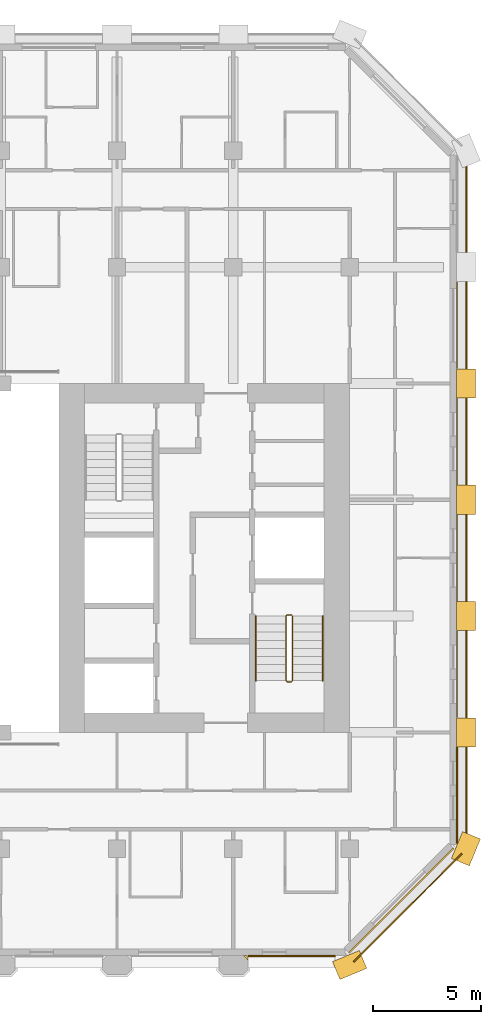
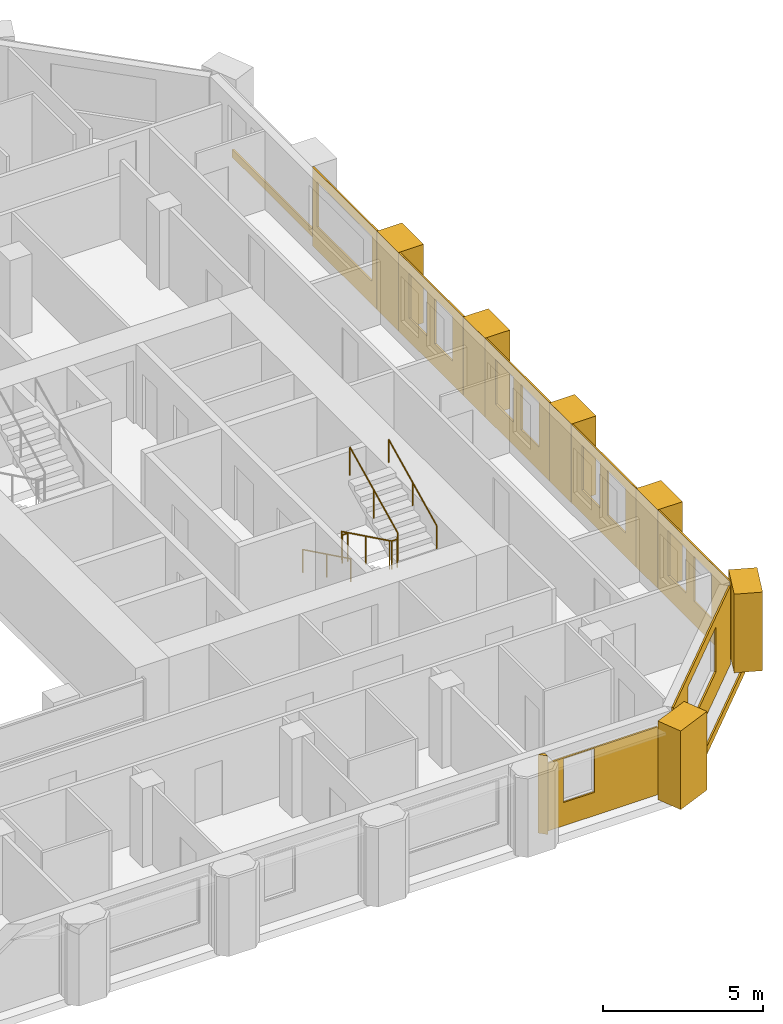
# One storey, part 12 of 13: 16 coverings, 3 railings.
"""IFC4 building model written with IfcOpenShell, lengths in metres."""

from ifc_helpers import new_model, si_unit, direction, frame, frame_2d, origin, origin_2d, place, context, subcontext, project, spatial, polyline, rectangle, circle, outline, extrude, material, layer, layer_set, type_object, element, save


model = new_model("IFC4")

# Units and contexts
model_context = context("Model", 3, precision=1e-05, world=origin(), true_north=direction((0.0, 1.0)))
body_context = subcontext(model_context, "Body", "Model", "MODEL_VIEW")
ifc_project = project(units=[si_unit("LENGTHUNIT", "METRE"), si_unit("AREAUNIT", "SQUARE_METRE"), si_unit("VOLUMEUNIT", "CUBIC_METRE"), si_unit("PLANEANGLEUNIT", "RADIAN"), si_unit("MASSUNIT", "GRAM", prefix="KILO")], contexts=[model_context])

# Site, building, storey
site_placement = place(None, origin())
site = spatial("IfcSite", under=ifc_project, at=site_placement, CompositionType="ELEMENT")
building_placement = place(site_placement, origin())
building = spatial("IfcBuilding", under=site, at=building_placement, Name="Tabaq Tower and Sports Hall", CompositionType="ELEMENT")
storey_placement = place(building_placement, frame((0.0, 0.0, 200.5)))
storey = spatial("IfcBuildingStorey", under=building, at=storey_placement, Name="L49", CompositionType="ELEMENT", Elevation=200.5)

# Coverings
ifc_material_1 = material(Name="Precast concrete C60/75", Category="concrete")
ifc_layer_1 = layer(ifc_material_1, 0.10009765625)
ifc_layer_set_1 = layer_set([ifc_layer_1], Name="Column cladding 100")
covering_type_1 = type_object("IfcCoveringType", Name="Column cladding 100", PredefinedType="CLADDING", material=ifc_layer_set_1)
covering_1_placement = place(storey_placement, origin())
element("IfcCovering", 1, at=covering_1_placement, inside=storey, type_object=covering_type_1, Name="Column cladding L49 PC-8B-H2 3", PredefinedType="CLADDING", context=body_context, shape_type="SweptSolid", body=[
    extrude(outline(polyline([(38.474365234375, 5.62646484375), (38.25146484375, 5.849365234375), (38.39111328125, 5.849365234375), (38.474365234375, 5.76611328125), (38.474365234375, 5.62646484375)])), origin(), (0.0, 0.0, 1.0), 3.0),
])
ifc_material_2 = material(Name="Precast concrete C60/75", Category="concrete")
ifc_layer_2 = layer(ifc_material_2, 0.06005859375)
ifc_layer_set_2 = layer_set([ifc_layer_2], Name="Edge beam cladding 60")
covering_type_2 = type_object("IfcCoveringType", Name="Edge beam cladding 60", PredefinedType="CLADDING", material=ifc_layer_set_2)
covering_2_placement = place(storey_placement, frame((43.39794921875, 5.5556640625, -0.300048828125), z_axis=(0.0, 0.0, 1.0), x_axis=(0.707124002701, 0.707089559252, 0.0)))
element("IfcCovering", 2, at=covering_2_placement, inside=storey, type_object=covering_type_2, Name="Edge beam cladding L49 1", PredefinedType="CLADDING", context=body_context, shape_type="SweptSolid", body=[
    extrude(rectangle(XDim=7.088134765625, YDim=0.06005859375, at=frame_2d((3.5439453125, 0.0))), origin(), (0.0, 0.0, 1.0), 0.300048828125),
])
covering_3_placement = place(storey_placement, frame((48.6298828125, 11.0986328125, -0.300048828125), z_axis=(0.0, 0.0, 1.0), x_axis=(0.0, 1.0, 0.0)))
element("IfcCovering", 3, at=covering_3_placement, inside=storey, type_object=covering_type_2, Name="Edge beam cladding L49 2", PredefinedType="CLADDING", context=body_context, shape_type="SweptSolid", body=[
    extrude(rectangle(XDim=31.802734375, YDim=0.06005859375, at=frame_2d((15.9013671875, 0.0))), origin(), (0.0, 0.0, 1.0), 0.300048828125),
])
ifc_material_3 = material(Name="White precast concrete C60/75", Category="concrete")
covering_type_3 = type_object("IfcCoveringType", Name="Pier cladding hung 1350x900", PredefinedType="CLADDING", material=ifc_material_3)
for number, where, z_axis, x_axis, name in (
    (4, (42.576416015625, 5.1416015625, 0.0), (0.0, 0.0, 1.0), (0.923893411637, 0.382649923473, 0.0), "Hung pier cladding 8/1"),
    (5, (48.341796875, 10.17626953125, 0.0), (0.0, 0.0, 1.0), (0.382649923473, 0.923893411637, 0.0), "Hung pier cladding 9/2"),
    (6, (48.60009765625, 15.52490234375, 0.0), (0.0, 0.0, 1.0), (0.0, 1.0, 0.0), "Hung pier cladding 9/3"),
):
    element("IfcCovering", number, at=place(storey_placement, frame(where, z_axis=z_axis, x_axis=x_axis)), inside=storey, type_object=covering_type_3, Name=name, PredefinedType="CLADDING", context=body_context, shape_type="SweptSolid", body=[
        extrude(rectangle(XDim=1.35009765625, YDim=0.89990234375, at=frame_2d((0.675048828125, 0.0))), origin(), (0.0, 0.0, 1.0), 3.0),
    ])
covering_4_placement = place(storey_placement, frame((48.60009765625, 20.925048828125, 0.0), z_axis=(0.0, 0.0, 1.0), x_axis=(0.0, 1.0, 0.0)))
element("IfcCovering", 7, at=covering_4_placement, inside=storey, type_object=covering_type_3, Name="Hung pier cladding 9/4", PredefinedType="CLADDING", context=body_context, shape_type="SweptSolid", body=[
    extrude(rectangle(XDim=1.349853515625, YDim=0.89990234375, at=frame_2d((0.6748046875, 0.0))), origin(), (0.0, 0.0, 1.0), 3.0),
])
covering_5_placement = place(storey_placement, frame((48.60009765625, 26.324951171875, 0.0), z_axis=(0.0, 0.0, 1.0), x_axis=(0.0, 1.0, 0.0)))
element("IfcCovering", 8, at=covering_5_placement, inside=storey, type_object=covering_type_3, Name="Hung pier cladding 9/5", PredefinedType="CLADDING", context=body_context, shape_type="SweptSolid", body=[
    extrude(rectangle(XDim=1.35009765625, YDim=0.89990234375, at=frame_2d((0.675048828125, 0.0))), origin(), (0.0, 0.0, 1.0), 3.0),
])
covering_6_placement = place(storey_placement, frame((48.60009765625, 31.72509765625, 0.0), z_axis=(0.0, 0.0, 1.0), x_axis=(0.0, 1.0, 0.0)))
element("IfcCovering", 9, at=covering_6_placement, inside=storey, type_object=covering_type_3, Name="Hung pier cladding 9/6", PredefinedType="CLADDING", context=body_context, shape_type="SweptSolid", body=[
    extrude(rectangle(XDim=1.349853515625, YDim=0.89990234375, at=frame_2d((0.6748046875, 0.0))), origin(), (0.0, 0.0, 1.0), 3.0),
])

# Railings
ifc_material_4 = material(Name="Stainless steel", Category="steel")
railing_type_1 = type_object("IfcRailingType", Name="Stair guard", PredefinedType="GUARDRAIL", material=ifc_material_4)
railing_1_placement = place(storey_placement, frame((40.5, 21.64990234375, 0.0)))
element("IfcRailing", 10, at=railing_1_placement, inside=storey, type_object=railing_type_1, Name="L49 ST3 stair guard 1", PredefinedType="GUARDRAIL", context=body_context, shape_type="SweptSolid", body=[
    extrude(circle(Radius=0.02392578125, at=origin_2d()), frame((0.0, 0.0, 1.076171875), z_axis=(-1.0, 0.0, 0.0), x_axis=(0.0, -1.0, 0.0)), (0.0, 0.0, 1.0), 0.199951171875),
    extrude(circle(Radius=0.02392578125, at=origin_2d()), frame((-0.199951171875, 0.0, 1.076171875), z_axis=(-0.254733673405, -0.25349107012, 0.933195066962), x_axis=(0.705375805398, -0.708833529934, 0.0)), (0.0, 0.0, 1.0), 0.196533203125),
    extrude(circle(Radius=0.02392578125, at=origin_2d()), frame((-0.25, -0.0498046875, 1.25927734375), z_axis=(0.0, -0.898397823093, 0.439182594671), x_axis=(1.0, 0.0, 0.0)), (0.0, 0.0, 1.0), 3.33935546875),
    extrude(circle(Radius=0.02392578125, at=origin_2d()), frame((-0.25, -3.0498046875, 2.72607421875), z_axis=(0.707106781187, -0.707106781187, 0.0), x_axis=(0.707106781187, 0.707106781187, 0.0)), (0.0, 0.0, 1.0), 0.07080078125),
    extrude(circle(Radius=0.02392578125, at=origin_2d()), frame((-0.199951171875, -3.099853515625, 2.72607421875), z_axis=(1.0, 0.0, 0.0), x_axis=(0.0, 1.0, 0.0)), (0.0, 0.0, 1.0), 0.199951171875),
    extrude(circle(Radius=0.02392578125, at=origin_2d()), frame((0.0, -3.099853515625, 2.72607421875), z_axis=(0.254653276557, 0.254653276557, 0.932900539971), x_axis=(-0.707106781187, 0.707106781187, 0.0)), (0.0, 0.0, 1.0), 0.196533203125),
    extrude(circle(Radius=0.02392578125, at=origin_2d()), frame((0.050048828125, -3.0498046875, 2.9091796875), z_axis=(0.0, 0.898368975038, 0.439241601728), x_axis=(-1.0, 0.0, 0.0)), (0.0, 0.0, 1.0), 3.33935546875),
    extrude(circle(Radius=0.02099609375, at=origin_2d()), origin(), (0.0, 0.0, 1.0), 1.052001953125),
    extrude(circle(Radius=0.02099609375, at=origin_2d()), frame((-0.199951171875, 0.0, 0.0)), (0.0, 0.0, 1.0), 1.052001953125),
    extrude(circle(Radius=0.02099609375, at=origin_2d()), frame((-0.25, -0.0498046875, 0.183349609375)), (0.0, 0.0, 1.0), 1.052001953125),
    extrude(circle(Radius=0.02099609375, at=origin_2d()), frame((-0.25, -1.5498046875, 0.91650390625)), (0.0, 0.0, 1.0), 1.052001953125),
    extrude(circle(Radius=0.02099609375, at=origin_2d()), frame((-0.25, -3.0498046875, 1.64990234375)), (0.0, 0.0, 1.0), 1.052001953125),
    extrude(circle(Radius=0.02099609375, at=origin_2d()), frame((-0.199951171875, -3.099853515625, 1.64990234375)), (0.0, 0.0, 1.0), 1.052001953125),
    extrude(circle(Radius=0.02099609375, at=origin_2d()), frame((0.0, -3.099853515625, 1.64990234375)), (0.0, 0.0, 1.0), 1.052001953125),
    extrude(circle(Radius=0.02099609375, at=origin_2d()), frame((0.050048828125, -3.0498046875, 1.833251953125)), (0.0, 0.0, 1.0), 1.052001953125),
    extrude(circle(Radius=0.02099609375, at=origin_2d()), frame((0.050048828125, -1.5498046875, 2.566650390625)), (0.0, 0.0, 1.0), 1.052001953125),
    extrude(circle(Radius=0.02099609375, at=origin_2d()), frame((0.050048828125, -0.0498046875, 3.300048828125)), (0.0, 0.0, 1.0), 1.052001953125),
])
ifc_material_5 = material(Name="Stainless steel", Category="steel")
railing_type_2 = type_object("IfcRailingType", Name="Stair handrail", PredefinedType="HANDRAIL", material=ifc_material_5)
railing_2_placement = place(storey_placement, frame((38.85009765625, 21.60009765625, 0.183349609375)))
element("IfcRailing", 11, at=railing_2_placement, inside=storey, type_object=railing_type_2, Name="L49 ST3 stair handrail 1", PredefinedType="HANDRAIL", context=body_context, shape_type="SweptSolid", body=[
    extrude(circle(Radius=0.02392578125, at=origin_2d()), frame((0.0, 0.0, 0.8759765625), z_axis=(0.0, -0.898397823093, 0.439182594671), x_axis=(1.0, 0.0, 0.0)), (0.0, 0.0, 1.0), 3.33935546875),
    extrude(circle(Radius=0.02099609375, at=origin_2d()), origin(), (0.0, 0.0, 1.0), 0.851806640625),
    extrude(circle(Radius=0.02099609375, at=origin_2d()), frame((0.0, -1.5, 0.7333984375)), (0.0, 0.0, 1.0), 0.851806640625),
    extrude(circle(Radius=0.02099609375, at=origin_2d()), frame((0.0, -3.0, 1.466552734375)), (0.0, 0.0, 1.0), 0.851806640625),
])
railing_3_placement = place(storey_placement, frame((41.949951171875, 18.60009765625, 1.833251953125)))
element("IfcRailing", 12, at=railing_3_placement, inside=storey, type_object=railing_type_2, Name="L49 ST3 stair handrail 2", PredefinedType="HANDRAIL", context=body_context, shape_type="SweptSolid", body=[
    extrude(circle(Radius=0.02392578125, at=origin_2d()), frame((0.0, 0.0, 0.8759765625), z_axis=(0.0, 0.898368975038, 0.439241601728), x_axis=(-1.0, 0.0, 0.0)), (0.0, 0.0, 1.0), 3.33935546875),
    extrude(circle(Radius=0.02099609375, at=origin_2d()), origin(), (0.0, 0.0, 1.0), 0.851806640625),
    extrude(circle(Radius=0.02099609375, at=origin_2d()), frame((0.0, 1.5, 0.7333984375)), (0.0, 0.0, 1.0), 0.851806640625),
    extrude(circle(Radius=0.02099609375, at=origin_2d()), frame((0.0, 3.0, 1.466796875)), (0.0, 0.0, 1.0), 0.851806640625),
])

# Coverings
ifc_material_6 = material(Name="Precast concrete C60/75", Category="concrete")
ifc_layer_3 = layer(ifc_material_6, 0.06005859375)
ifc_layer_set_3 = layer_set([ifc_layer_3], Name="White precast cladding panel 60 C60/75")
covering_type_4 = type_object("IfcCoveringType", Name="White precast cladding panel 60 C60/75", PredefinedType="CLADDING", material=ifc_layer_set_3)
covering_7_placement = place(storey_placement, frame((38.485107421875, 5.820068359375, 0.0), z_axis=(0.0, 0.0, 1.0), x_axis=(1.0, 0.0, 0.0)))
element("IfcCovering", 13, at=covering_7_placement, inside=storey, type_object=covering_type_4, Name="White precast cladding panel L49 wall00 6", PredefinedType="CLADDING", context=body_context, shape_type="SweptSolid", body=[
    extrude(outline(polyline([(0.0, 0.0), (4.0498046875, 0.0), (4.0498046875, 2.590087890625), (0.0, 2.590087890625), (0.0, 0.0)]), holes=[polyline([(1.77490234375, 0.889892578125), (0.655029296875, 0.889892578125), (0.655029296875, 2.56005859375), (1.77490234375, 2.56005859375), (1.77490234375, 0.889892578125)])]), frame((0.0, 0.030029296875, 0.0), z_axis=(0.0, -1.0, 0.0), x_axis=(1.0, 0.0, 0.0)), (0.0, 0.0, 1.0), 0.06005859375),
])
covering_8_placement = place(storey_placement, frame((43.177734375, 5.9716796875, 0.0), z_axis=(0.0, 0.0, 1.0), x_axis=(0.707106781187, 0.707106781187, 0.0)))
element("IfcCovering", 14, at=covering_8_placement, inside=storey, type_object=covering_type_4, Name="White precast cladding panel L49 wall01", PredefinedType="CLADDING", context=body_context, shape_type="SweptSolid", body=[
    extrude(outline(polyline([(0.0, 0.0), (6.85986328125, 0.0), (6.85986328125, 3.0), (0.0, 3.0), (0.0, 0.0)]), holes=[polyline([(1.7197265625, 0.889892578125), (1.7197265625, 2.610107421875), (5.139892578125, 2.610107421875), (5.139892578125, 0.889892578125), (1.7197265625, 0.889892578125)])]), frame((0.0, 0.030029296875, 0.0), z_axis=(0.0, -1.0, 0.0), x_axis=(1.0, 0.0, 0.0)), (0.0, 0.0, 1.0), 0.06005859375),
])
covering_9_placement = place(storey_placement, frame((48.179931640625, 11.043212890625, 0.0), z_axis=(0.0, 0.0, 1.0), x_axis=(0.0, 1.0, 0.0)))
element("IfcCovering", 15, at=covering_9_placement, inside=storey, type_object=covering_type_4, Name="White precast cladding panel L49 wall02", PredefinedType="CLADDING", context=body_context, shape_type="SweptSolid", body=[
    extrude(outline(polyline([(0.0, 0.0), (4.4716796875, 0.0), (4.4716796875, 3.0), (0.0, 3.0), (0.0, 0.0)]), holes=[polyline([(1.096923828125, 2.610107421875), (2.216796875, 2.610107421875), (2.216796875, 0.889892578125), (1.096923828125, 0.889892578125), (1.096923828125, 2.610107421875)]), polyline([(2.69677734375, 2.610107421875), (3.81689453125, 2.610107421875), (3.81689453125, 0.889892578125), (2.69677734375, 0.889892578125), (2.69677734375, 2.610107421875)])]), frame((0.0, 0.030029296875, 0.0), z_axis=(0.0, -1.0, 0.0), x_axis=(1.0, 0.0, 0.0)), (0.0, 0.0, 1.0), 0.06005859375),
])
for number, where, z_axis, x_axis, name in (
    (16, (48.179931640625, 16.885009765625, 0.0), (0.0, 0.0, 1.0), (0.0, 1.0, 0.0), "White precast cladding panel L49 wall02 2"),
    (17, (48.179931640625, 22.284912109375, 0.0), (0.0, 0.0, 1.0), (0.0, 1.0, 0.0), "White precast cladding panel L49 wall02 3"),
    (18, (48.179931640625, 27.68505859375, 0.0), (0.0, 0.0, 1.0), (0.0, 1.0, 0.0), "White precast cladding panel L49 wall02 4"),
):
    element("IfcCovering", number, at=place(storey_placement, frame(where, z_axis=z_axis, x_axis=x_axis)), inside=storey, type_object=covering_type_4, Name=name, PredefinedType="CLADDING", context=body_context, shape_type="SweptSolid", body=[
        extrude(outline(polyline([(0.0, 0.0), (4.030029296875, 0.0), (4.030029296875, 3.0), (0.0, 3.0), (0.0, 0.0)]), holes=[polyline([(0.655029296875, 2.610107421875), (1.77490234375, 2.610107421875), (1.77490234375, 0.889892578125), (0.655029296875, 0.889892578125), (0.655029296875, 2.610107421875)]), polyline([(2.2548828125, 2.610107421875), (3.375, 2.610107421875), (3.375, 0.889892578125), (2.2548828125, 0.889892578125), (2.2548828125, 2.610107421875)])]), frame((0.0, 0.030029296875, 0.0), z_axis=(0.0, -1.0, 0.0), x_axis=(1.0, 0.0, 0.0)), (0.0, 0.0, 1.0), 0.06005859375),
    ])
covering_10_placement = place(storey_placement, frame((48.179931640625, 33.0849609375, 0.0), z_axis=(0.0, 0.0, 1.0), x_axis=(0.0, 1.0, 0.0)))
element("IfcCovering", 19, at=covering_10_placement, inside=storey, type_object=covering_type_4, Name="White precast cladding panel L49 wall02 5", PredefinedType="CLADDING", context=body_context, shape_type="SweptSolid", body=[
    extrude(outline(polyline([(0.0, 0.0), (4.030029296875, 0.0), (4.030029296875, 3.0), (0.0, 3.0), (0.0, 0.0)]), holes=[polyline([(0.304931640625, 0.889892578125), (0.304931640625, 2.610107421875), (3.72509765625, 2.610107421875), (3.72509765625, 0.889892578125), (0.304931640625, 0.889892578125)])]), frame((0.0, 0.030029296875, 0.0), z_axis=(0.0, -1.0, 0.0), x_axis=(1.0, 0.0, 0.0)), (0.0, 0.0, 1.0), 0.06005859375),
])

save(model, "model.ifc")
